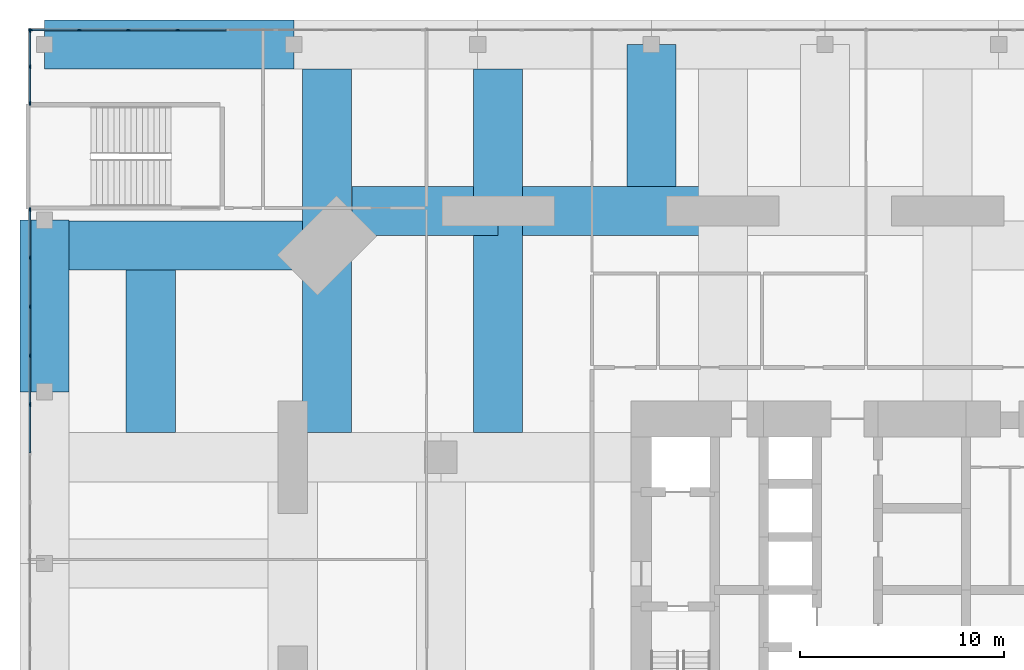
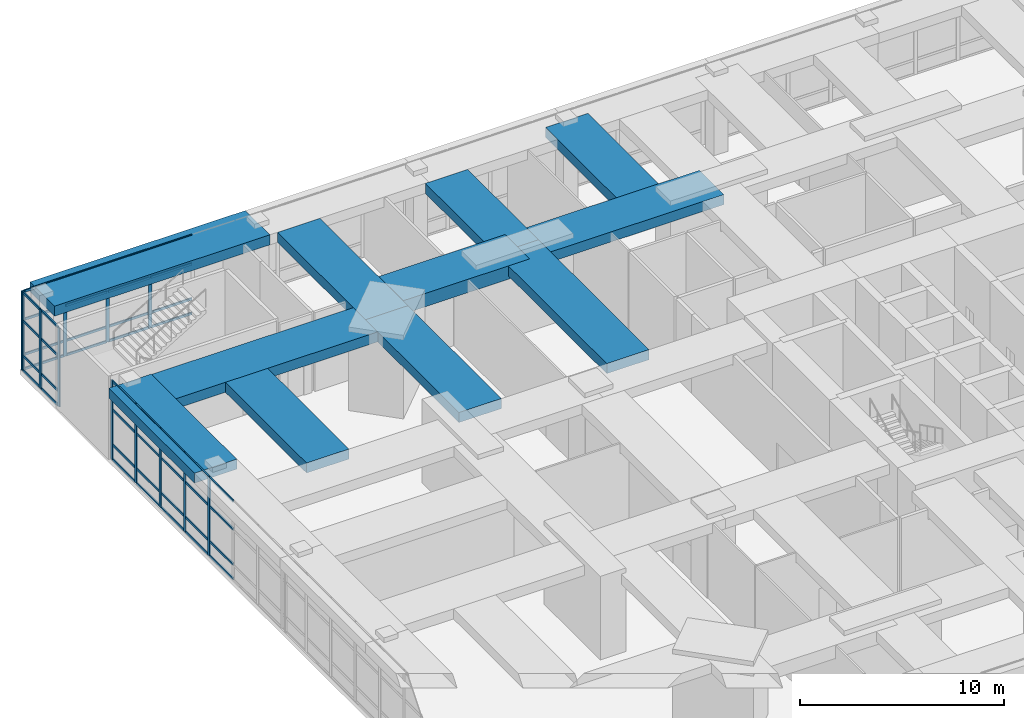
# One storey, part 7 of 22: 56 members, 11 beams, 3 elements without a shape of their own.
"""IFC4 building model written with IfcOpenShell, lengths in metres."""

from ifc_helpers import new_model, si_unit, direction, frame, origin, origin_2d, place, context, subcontext, project, spatial, rectangle, extrude, material, material_profile, profile_set, type_object, element, aggregate, save


model = new_model("IFC4")

# Units and contexts
model_context = context("Model", 3, precision=1e-05, world=origin(), true_north=direction((0.0, 1.0)))
body_context = subcontext(model_context, "Body", "Model", "MODEL_VIEW")
ifc_project = project(units=[si_unit("LENGTHUNIT", "METRE"), si_unit("AREAUNIT", "SQUARE_METRE"), si_unit("VOLUMEUNIT", "CUBIC_METRE"), si_unit("PLANEANGLEUNIT", "RADIAN"), si_unit("MASSUNIT", "GRAM", prefix="KILO")], contexts=[model_context])

# Site, building, storey
site_placement = place(None, origin())
site = spatial("IfcSite", under=ifc_project, at=site_placement, CompositionType="ELEMENT")
building_placement = place(site_placement, origin())
building = spatial("IfcBuilding", under=site, at=building_placement, Name="Jalousie Tower", CompositionType="ELEMENT")
storey_placement = place(building_placement, frame((0.0, 0.0, 6.0)))
storey = spatial("IfcBuildingStorey", under=building, at=storey_placement, Name="L01", CompositionType="ELEMENT", Elevation=6.0)

# Curtain wall, members
ifc_material_1 = material(Name="Aluminium curtain wall", Category="aluminium")
curtain_wall_type = type_object("IfcCurtainWallType", Name="PODIUM WINDOW WALL", PredefinedType="USERDEFINED", material=ifc_material_1)
curtain_wall_1_placement = place(storey_placement, origin())
curtain_wall_1 = element("IfcCurtainWall", 1, at=curtain_wall_1_placement, inside=storey, type_object=curtain_wall_type, Name="Podium Window Wall L01 21", ObjectType="PODIUM WINDOW WALL", PredefinedType="USERDEFINED")
ifc_material_2 = material(Name="Aluminium mullion", Category="aluminium")
ifc_material_profile_1 = material_profile(ifc_material_2, rectangle(XDim=0.070068359375, YDim=0.199951171875, at=origin_2d()), Name="MULLION 70x200")
ifc_profile_set_1 = profile_set([ifc_material_profile_1], Name="Aluminium mullion")
member_type_1 = type_object("IfcMemberType", Name="PODIUM WINDOW WALL MULLION", PredefinedType="MULLION", material=ifc_profile_set_1)
member_1_placement = place(storey_placement, frame((-2.689208984375, 45.91259765625, 0.0), z_axis=(0.0, 0.0, 1.0), x_axis=(0.0, -1.0, 0.0)))
member_1 = element("IfcMember", 2, at=member_1_placement, type_object=member_type_1, Name="CW-P mullion 27", PredefinedType="MULLION", context=body_context, shape_type="SweptSolid", body=[
    extrude(rectangle(XDim=0.070068359375, YDim=0.199951171875, at=origin_2d()), origin(), (0.0, 0.0, 1.0), 4.719970703125),
])
member_2_placement = place(storey_placement, frame((-5.096923828125, 45.91259765625, 0.0), z_axis=(0.0, 0.0, 1.0), x_axis=(0.0, -1.0, 0.0)))
member_2 = element("IfcMember", 3, at=member_2_placement, type_object=member_type_1, Name="CW-P mullion 28", PredefinedType="MULLION", context=body_context, shape_type="SweptSolid", body=[
    extrude(rectangle(XDim=0.070068359375, YDim=0.199951171875, at=origin_2d()), origin(), (0.0, 0.0, 1.0), 4.719970703125),
])
member_3_placement = place(storey_placement, frame((-7.504638671875, 45.91259765625, 0.0), z_axis=(0.0, 0.0, 1.0), x_axis=(0.0, -1.0, 0.0)))
member_3 = element("IfcMember", 4, at=member_3_placement, type_object=member_type_1, Name="CW-P mullion 29", PredefinedType="MULLION", context=body_context, shape_type="SweptSolid", body=[
    extrude(rectangle(XDim=0.070068359375, YDim=0.199951171875, at=origin_2d()), origin(), (0.0, 0.0, 1.0), 4.719970703125),
])
member_4_placement = place(storey_placement, frame((-9.87744140625, 45.91259765625, 0.0), z_axis=(0.0, 0.0, 1.0), x_axis=(0.0, -1.0, 0.0)))
member_4 = element("IfcMember", 5, at=member_4_placement, type_object=member_type_1, Name="CW-P mullion 30", PredefinedType="MULLION", context=body_context, shape_type="SweptSolid", body=[
    extrude(rectangle(XDim=0.070068359375, YDim=0.199951171875, at=origin_2d()), origin(), (0.0, 0.0, 1.0), 4.719970703125),
])

curtain_wall_2_placement = place(storey_placement, origin())
curtain_wall_2 = element("IfcCurtainWall", 6, at=curtain_wall_2_placement, inside=storey, type_object=curtain_wall_type, Name="Podium Window Wall L01 31", ObjectType="PODIUM WINDOW WALL", PredefinedType="USERDEFINED")
member_5_placement = place(storey_placement, frame((-9.91259765625, 45.87744140625, 0.0), z_axis=(0.0, 0.0, 1.0), x_axis=(1.0, 0.0, 0.0)))
member_5 = element("IfcMember", 7, at=member_5_placement, type_object=member_type_1, Name="CW-P mullion 1", PredefinedType="MULLION", context=body_context, shape_type="SweptSolid", body=[
    extrude(rectangle(XDim=0.070068359375, YDim=0.199951171875, at=origin_2d()), origin(), (0.0, 0.0, 1.0), 4.719970703125),
])
member_6_placement = place(storey_placement, frame((-9.91259765625, 44.106201171875, 0.0), z_axis=(0.0, 0.0, 1.0), x_axis=(1.0, 0.0, 0.0)))
member_6 = element("IfcMember", 8, at=member_6_placement, type_object=member_type_1, Name="CW-P mullion 2", PredefinedType="MULLION", context=body_context, shape_type="SweptSolid", body=[
    extrude(rectangle(XDim=0.070068359375, YDim=0.199951171875, at=origin_2d()), origin(), (0.0, 0.0, 1.0), 4.719970703125),
])
member_7_placement = place(storey_placement, frame((-9.91259765625, 42.3349609375, 0.0), z_axis=(0.0, 0.0, 1.0), x_axis=(1.0, 0.0, 0.0)))
member_7 = element("IfcMember", 9, at=member_7_placement, type_object=member_type_1, Name="CW-P mullion 3", PredefinedType="MULLION", context=body_context, shape_type="SweptSolid", body=[
    extrude(rectangle(XDim=0.070068359375, YDim=0.199951171875, at=origin_2d()), origin(), (0.0, 0.0, 1.0), 4.719970703125),
])

curtain_wall_3_placement = place(storey_placement, origin())
curtain_wall_3 = element("IfcCurtainWall", 10, at=curtain_wall_3_placement, inside=storey, type_object=curtain_wall_type, Name="Podium Window Wall L01 33", ObjectType="PODIUM WINDOW WALL", PredefinedType="USERDEFINED")
member_8_placement = place(storey_placement, frame((-9.91259765625, 37.114990234375, 0.0), z_axis=(0.0, 0.0, 1.0), x_axis=(1.0, 0.0, 0.0)))
member_8 = element("IfcMember", 11, at=member_8_placement, type_object=member_type_1, Name="CW-P mullion 1", PredefinedType="MULLION", context=body_context, shape_type="SweptSolid", body=[
    extrude(rectangle(XDim=0.070068359375, YDim=0.199951171875, at=origin_2d()), origin(), (0.0, 0.0, 1.0), 4.719970703125),
])
member_9_placement = place(storey_placement, frame((-9.91259765625, 34.757568359375, 0.0), z_axis=(0.0, 0.0, 1.0), x_axis=(1.0, 0.0, 0.0)))
member_9 = element("IfcMember", 12, at=member_9_placement, type_object=member_type_1, Name="CW-P mullion 2", PredefinedType="MULLION", context=body_context, shape_type="SweptSolid", body=[
    extrude(rectangle(XDim=0.070068359375, YDim=0.199951171875, at=origin_2d()), origin(), (0.0, 0.0, 1.0), 4.719970703125),
])
member_10_placement = place(storey_placement, frame((-9.91259765625, 32.365234375, 0.0), z_axis=(0.0, 0.0, 1.0), x_axis=(1.0, 0.0, 0.0)))
member_10 = element("IfcMember", 13, at=member_10_placement, type_object=member_type_1, Name="CW-P mullion 3", PredefinedType="MULLION", context=body_context, shape_type="SweptSolid", body=[
    extrude(rectangle(XDim=0.070068359375, YDim=0.199951171875, at=origin_2d()), origin(), (0.0, 0.0, 1.0), 4.719970703125),
])
member_11_placement = place(storey_placement, frame((-9.91259765625, 29.972900390625, 0.0), z_axis=(0.0, 0.0, 1.0), x_axis=(1.0, 0.0, 0.0)))
member_11 = element("IfcMember", 14, at=member_11_placement, type_object=member_type_1, Name="CW-P mullion 4", PredefinedType="MULLION", context=body_context, shape_type="SweptSolid", body=[
    extrude(rectangle(XDim=0.070068359375, YDim=0.199951171875, at=origin_2d()), origin(), (0.0, 0.0, 1.0), 4.719970703125),
])
member_12_placement = place(storey_placement, frame((-9.91259765625, 27.58056640625, 0.0), z_axis=(0.0, 0.0, 1.0), x_axis=(1.0, 0.0, 0.0)))
member_12 = element("IfcMember", 15, at=member_12_placement, type_object=member_type_1, Name="CW-P mullion 5", PredefinedType="MULLION", context=body_context, shape_type="SweptSolid", body=[
    extrude(rectangle(XDim=0.070068359375, YDim=0.199951171875, at=origin_2d()), origin(), (0.0, 0.0, 1.0), 4.719970703125),
])

# Member
ifc_material_3 = material(Name="Aluminium transom", Category="aluminium")
ifc_material_profile_2 = material_profile(ifc_material_3, rectangle(XDim=0.070068359375, YDim=0.139892578125, at=origin_2d()), Name="TRANSOM 70x140")
ifc_profile_set_2 = profile_set([ifc_material_profile_2], Name="Aluminium transom")
member_type_2 = type_object("IfcMemberType", Name="PODIUM WINDOW WALL TRANSOM", PredefinedType="USERDEFINED", material=ifc_profile_set_2)
member_13_placement = place(storey_placement, frame((-0.31640625, 45.91259765625, 0.034912109375), z_axis=(-1.0, 0.0, 0.0), x_axis=(0.0, -1.0, 0.0)))
member_13 = element("IfcMember", 16, at=member_13_placement, type_object=member_type_2, Name="CW-P transom 26.1", ObjectType="TRANSOM", PredefinedType="USERDEFINED", context=body_context, shape_type="SweptSolid", body=[
    extrude(rectangle(XDim=0.070068359375, YDim=0.139892578125, at=origin_2d()), origin(), (0.0, 0.0, 1.0), 2.337890625),
])

member_14_placement = place(storey_placement, frame((-0.31640625, 45.91259765625, 0.89990234375), z_axis=(-1.0, 0.0, 0.0), x_axis=(0.0, -1.0, 0.0)))
member_14 = element("IfcMember", 17, at=member_14_placement, type_object=member_type_2, Name="CW-P transom 26.2", ObjectType="TRANSOM", PredefinedType="USERDEFINED", context=body_context, shape_type="SweptSolid", body=[
    extrude(rectangle(XDim=0.070068359375, YDim=0.139892578125, at=origin_2d()), origin(), (0.0, 0.0, 1.0), 2.337890625),
])

member_15_placement = place(storey_placement, frame((-0.31640625, 45.91259765625, 3.0), z_axis=(-1.0, 0.0, 0.0), x_axis=(0.0, -1.0, 0.0)))
member_15 = element("IfcMember", 18, at=member_15_placement, type_object=member_type_2, Name="CW-P transom 26.3", ObjectType="TRANSOM", PredefinedType="USERDEFINED", context=body_context, shape_type="SweptSolid", body=[
    extrude(rectangle(XDim=0.070068359375, YDim=0.139892578125, at=origin_2d()), origin(), (0.0, 0.0, 1.0), 2.337890625),
])

member_16_placement = place(storey_placement, frame((-0.31640625, 45.91259765625, 4.68505859375), z_axis=(-1.0, 0.0, 0.0), x_axis=(0.0, -1.0, 0.0)))
member_16 = element("IfcMember", 19, at=member_16_placement, type_object=member_type_2, Name="CW-P transom 26.4", ObjectType="TRANSOM", PredefinedType="USERDEFINED", context=body_context, shape_type="SweptSolid", body=[
    extrude(rectangle(XDim=0.070068359375, YDim=0.139892578125, at=origin_2d()), origin(), (0.0, 0.0, 1.0), 2.337890625),
])

member_17_placement = place(storey_placement, frame((-2.72412109375, 45.91259765625, 0.034912109375), z_axis=(-1.0, 0.0, 0.0), x_axis=(0.0, -1.0, 0.0)))
member_17 = element("IfcMember", 20, at=member_17_placement, type_object=member_type_2, Name="CW-P transom 27.1", ObjectType="TRANSOM", PredefinedType="USERDEFINED", context=body_context, shape_type="SweptSolid", body=[
    extrude(rectangle(XDim=0.070068359375, YDim=0.139892578125, at=origin_2d()), origin(), (0.0, 0.0, 1.0), 2.337890625),
])

member_18_placement = place(storey_placement, frame((-2.72412109375, 45.91259765625, 0.89990234375), z_axis=(-1.0, 0.0, 0.0), x_axis=(0.0, -1.0, 0.0)))
member_18 = element("IfcMember", 21, at=member_18_placement, type_object=member_type_2, Name="CW-P transom 27.2", ObjectType="TRANSOM", PredefinedType="USERDEFINED", context=body_context, shape_type="SweptSolid", body=[
    extrude(rectangle(XDim=0.070068359375, YDim=0.139892578125, at=origin_2d()), origin(), (0.0, 0.0, 1.0), 2.337890625),
])

member_19_placement = place(storey_placement, frame((-2.72412109375, 45.91259765625, 3.0), z_axis=(-1.0, 0.0, 0.0), x_axis=(0.0, -1.0, 0.0)))
member_19 = element("IfcMember", 22, at=member_19_placement, type_object=member_type_2, Name="CW-P transom 27.3", ObjectType="TRANSOM", PredefinedType="USERDEFINED", context=body_context, shape_type="SweptSolid", body=[
    extrude(rectangle(XDim=0.070068359375, YDim=0.139892578125, at=origin_2d()), origin(), (0.0, 0.0, 1.0), 2.337890625),
])

member_20_placement = place(storey_placement, frame((-2.72412109375, 45.91259765625, 4.68505859375), z_axis=(-1.0, 0.0, 0.0), x_axis=(0.0, -1.0, 0.0)))
member_20 = element("IfcMember", 23, at=member_20_placement, type_object=member_type_2, Name="CW-P transom 27.4", ObjectType="TRANSOM", PredefinedType="USERDEFINED", context=body_context, shape_type="SweptSolid", body=[
    extrude(rectangle(XDim=0.070068359375, YDim=0.139892578125, at=origin_2d()), origin(), (0.0, 0.0, 1.0), 2.337890625),
])

member_21_placement = place(storey_placement, frame((-5.132080078125, 45.91259765625, 0.034912109375), z_axis=(-1.0, 0.0, 0.0), x_axis=(0.0, -1.0, 0.0)))
member_21 = element("IfcMember", 24, at=member_21_placement, type_object=member_type_2, Name="CW-P transom 28.1", ObjectType="TRANSOM", PredefinedType="USERDEFINED", context=body_context, shape_type="SweptSolid", body=[
    extrude(rectangle(XDim=0.070068359375, YDim=0.139892578125, at=origin_2d()), origin(), (0.0, 0.0, 1.0), 2.337646484375),
])

member_22_placement = place(storey_placement, frame((-5.132080078125, 45.91259765625, 0.89990234375), z_axis=(-1.0, 0.0, 0.0), x_axis=(0.0, -1.0, 0.0)))
member_22 = element("IfcMember", 25, at=member_22_placement, type_object=member_type_2, Name="CW-P transom 28.2", ObjectType="TRANSOM", PredefinedType="USERDEFINED", context=body_context, shape_type="SweptSolid", body=[
    extrude(rectangle(XDim=0.070068359375, YDim=0.139892578125, at=origin_2d()), origin(), (0.0, 0.0, 1.0), 2.337646484375),
])

member_23_placement = place(storey_placement, frame((-5.132080078125, 45.91259765625, 3.0), z_axis=(-1.0, 0.0, 0.0), x_axis=(0.0, -1.0, 0.0)))
member_23 = element("IfcMember", 26, at=member_23_placement, type_object=member_type_2, Name="CW-P transom 28.3", ObjectType="TRANSOM", PredefinedType="USERDEFINED", context=body_context, shape_type="SweptSolid", body=[
    extrude(rectangle(XDim=0.070068359375, YDim=0.139892578125, at=origin_2d()), origin(), (0.0, 0.0, 1.0), 2.337646484375),
])

member_24_placement = place(storey_placement, frame((-5.132080078125, 45.91259765625, 4.68505859375), z_axis=(-1.0, 0.0, 0.0), x_axis=(0.0, -1.0, 0.0)))
member_24 = element("IfcMember", 27, at=member_24_placement, type_object=member_type_2, Name="CW-P transom 28.4", ObjectType="TRANSOM", PredefinedType="USERDEFINED", context=body_context, shape_type="SweptSolid", body=[
    extrude(rectangle(XDim=0.070068359375, YDim=0.139892578125, at=origin_2d()), origin(), (0.0, 0.0, 1.0), 2.337646484375),
])

member_25_placement = place(storey_placement, frame((-7.539794921875, 45.91259765625, 0.034912109375), z_axis=(-1.0, 0.0, 0.0), x_axis=(0.0, -1.0, 0.0)))
member_25 = element("IfcMember", 28, at=member_25_placement, type_object=member_type_2, Name="CW-P transom 29.1", ObjectType="TRANSOM", PredefinedType="USERDEFINED", context=body_context, shape_type="SweptSolid", body=[
    extrude(rectangle(XDim=0.070068359375, YDim=0.139892578125, at=origin_2d()), origin(), (0.0, 0.0, 1.0), 2.302734375),
])

member_26_placement = place(storey_placement, frame((-7.539794921875, 45.91259765625, 0.89990234375), z_axis=(-1.0, 0.0, 0.0), x_axis=(0.0, -1.0, 0.0)))
member_26 = element("IfcMember", 29, at=member_26_placement, type_object=member_type_2, Name="CW-P transom 29.2", ObjectType="TRANSOM", PredefinedType="USERDEFINED", context=body_context, shape_type="SweptSolid", body=[
    extrude(rectangle(XDim=0.070068359375, YDim=0.139892578125, at=origin_2d()), origin(), (0.0, 0.0, 1.0), 2.302734375),
])

member_27_placement = place(storey_placement, frame((-7.539794921875, 45.91259765625, 3.0), z_axis=(-1.0, 0.0, 0.0), x_axis=(0.0, -1.0, 0.0)))
member_27 = element("IfcMember", 30, at=member_27_placement, type_object=member_type_2, Name="CW-P transom 29.3", ObjectType="TRANSOM", PredefinedType="USERDEFINED", context=body_context, shape_type="SweptSolid", body=[
    extrude(rectangle(XDim=0.070068359375, YDim=0.139892578125, at=origin_2d()), origin(), (0.0, 0.0, 1.0), 2.302734375),
])

member_28_placement = place(storey_placement, frame((-7.539794921875, 45.91259765625, 4.68505859375), z_axis=(-1.0, 0.0, 0.0), x_axis=(0.0, -1.0, 0.0)))
member_28 = element("IfcMember", 31, at=member_28_placement, type_object=member_type_2, Name="CW-P transom 29.4", ObjectType="TRANSOM", PredefinedType="USERDEFINED", context=body_context, shape_type="SweptSolid", body=[
    extrude(rectangle(XDim=0.070068359375, YDim=0.139892578125, at=origin_2d()), origin(), (0.0, 0.0, 1.0), 2.302734375),
])

aggregate(curtain_wall_1, [member_1, member_2, member_3, member_4, member_13, member_14, member_15, member_16, member_17, member_18, member_19, member_20, member_21, member_22, member_23, member_24, member_25, member_26, member_27, member_28])

member_29_placement = place(storey_placement, frame((-9.91259765625, 45.842529296875, 0.034912109375), z_axis=(0.0, -1.0, 0.0), x_axis=(1.0, 0.0, 0.0)))
member_29 = element("IfcMember", 32, at=member_29_placement, type_object=member_type_2, Name="CW-P transom 1.1", ObjectType="TRANSOM", PredefinedType="USERDEFINED", context=body_context, shape_type="SweptSolid", body=[
    extrude(rectangle(XDim=0.070068359375, YDim=0.139892578125, at=origin_2d()), origin(), (0.0, 0.0, 1.0), 1.701171875),
])

member_30_placement = place(storey_placement, frame((-9.91259765625, 45.842529296875, 0.89990234375), z_axis=(0.0, -1.0, 0.0), x_axis=(1.0, 0.0, 0.0)))
member_30 = element("IfcMember", 33, at=member_30_placement, type_object=member_type_2, Name="CW-P transom 1.2", ObjectType="TRANSOM", PredefinedType="USERDEFINED", context=body_context, shape_type="SweptSolid", body=[
    extrude(rectangle(XDim=0.070068359375, YDim=0.139892578125, at=origin_2d()), origin(), (0.0, 0.0, 1.0), 1.701171875),
])

member_31_placement = place(storey_placement, frame((-9.91259765625, 45.842529296875, 3.0), z_axis=(0.0, -1.0, 0.0), x_axis=(1.0, 0.0, 0.0)))
member_31 = element("IfcMember", 34, at=member_31_placement, type_object=member_type_2, Name="CW-P transom 1.3", ObjectType="TRANSOM", PredefinedType="USERDEFINED", context=body_context, shape_type="SweptSolid", body=[
    extrude(rectangle(XDim=0.070068359375, YDim=0.139892578125, at=origin_2d()), origin(), (0.0, 0.0, 1.0), 1.701171875),
])

member_32_placement = place(storey_placement, frame((-9.91259765625, 45.842529296875, 4.68505859375), z_axis=(0.0, -1.0, 0.0), x_axis=(1.0, 0.0, 0.0)))
member_32 = element("IfcMember", 35, at=member_32_placement, type_object=member_type_2, Name="CW-P transom 1.4", ObjectType="TRANSOM", PredefinedType="USERDEFINED", context=body_context, shape_type="SweptSolid", body=[
    extrude(rectangle(XDim=0.070068359375, YDim=0.139892578125, at=origin_2d()), origin(), (0.0, 0.0, 1.0), 1.701171875),
])

member_33_placement = place(storey_placement, frame((-9.91259765625, 44.0712890625, 0.034912109375), z_axis=(0.0, -1.0, 0.0), x_axis=(1.0, 0.0, 0.0)))
member_33 = element("IfcMember", 36, at=member_33_placement, type_object=member_type_2, Name="CW-P transom 2.1", ObjectType="TRANSOM", PredefinedType="USERDEFINED", context=body_context, shape_type="SweptSolid", body=[
    extrude(rectangle(XDim=0.070068359375, YDim=0.139892578125, at=origin_2d()), origin(), (0.0, 0.0, 1.0), 1.701171875),
])

member_34_placement = place(storey_placement, frame((-9.91259765625, 44.0712890625, 0.89990234375), z_axis=(0.0, -1.0, 0.0), x_axis=(1.0, 0.0, 0.0)))
member_34 = element("IfcMember", 37, at=member_34_placement, type_object=member_type_2, Name="CW-P transom 2.2", ObjectType="TRANSOM", PredefinedType="USERDEFINED", context=body_context, shape_type="SweptSolid", body=[
    extrude(rectangle(XDim=0.070068359375, YDim=0.139892578125, at=origin_2d()), origin(), (0.0, 0.0, 1.0), 1.701171875),
])

member_35_placement = place(storey_placement, frame((-9.91259765625, 44.0712890625, 3.0), z_axis=(0.0, -1.0, 0.0), x_axis=(1.0, 0.0, 0.0)))
member_35 = element("IfcMember", 38, at=member_35_placement, type_object=member_type_2, Name="CW-P transom 2.3", ObjectType="TRANSOM", PredefinedType="USERDEFINED", context=body_context, shape_type="SweptSolid", body=[
    extrude(rectangle(XDim=0.070068359375, YDim=0.139892578125, at=origin_2d()), origin(), (0.0, 0.0, 1.0), 1.701171875),
])

member_36_placement = place(storey_placement, frame((-9.91259765625, 44.0712890625, 4.68505859375), z_axis=(0.0, -1.0, 0.0), x_axis=(1.0, 0.0, 0.0)))
member_36 = element("IfcMember", 39, at=member_36_placement, type_object=member_type_2, Name="CW-P transom 2.4", ObjectType="TRANSOM", PredefinedType="USERDEFINED", context=body_context, shape_type="SweptSolid", body=[
    extrude(rectangle(XDim=0.070068359375, YDim=0.139892578125, at=origin_2d()), origin(), (0.0, 0.0, 1.0), 1.701171875),
])

aggregate(curtain_wall_2, [member_5, member_6, member_7, member_29, member_30, member_31, member_32, member_33, member_34, member_35, member_36])

member_37_placement = place(storey_placement, frame((-9.91259765625, 37.080078125, 0.034912109375), z_axis=(0.0, -1.0, 0.0), x_axis=(1.0, 0.0, 0.0)))
member_37 = element("IfcMember", 40, at=member_37_placement, type_object=member_type_2, Name="CW-P transom 1.1", ObjectType="TRANSOM", PredefinedType="USERDEFINED", context=body_context, shape_type="SweptSolid", body=[
    extrude(rectangle(XDim=0.070068359375, YDim=0.139892578125, at=origin_2d()), origin(), (0.0, 0.0, 1.0), 2.287353515625),
])

member_38_placement = place(storey_placement, frame((-9.91259765625, 37.080078125, 0.89990234375), z_axis=(0.0, -1.0, 0.0), x_axis=(1.0, 0.0, 0.0)))
member_38 = element("IfcMember", 41, at=member_38_placement, type_object=member_type_2, Name="CW-P transom 1.2", ObjectType="TRANSOM", PredefinedType="USERDEFINED", context=body_context, shape_type="SweptSolid", body=[
    extrude(rectangle(XDim=0.070068359375, YDim=0.139892578125, at=origin_2d()), origin(), (0.0, 0.0, 1.0), 2.287353515625),
])

member_39_placement = place(storey_placement, frame((-9.91259765625, 37.080078125, 3.0), z_axis=(0.0, -1.0, 0.0), x_axis=(1.0, 0.0, 0.0)))
member_39 = element("IfcMember", 42, at=member_39_placement, type_object=member_type_2, Name="CW-P transom 1.3", ObjectType="TRANSOM", PredefinedType="USERDEFINED", context=body_context, shape_type="SweptSolid", body=[
    extrude(rectangle(XDim=0.070068359375, YDim=0.139892578125, at=origin_2d()), origin(), (0.0, 0.0, 1.0), 2.287353515625),
])

member_40_placement = place(storey_placement, frame((-9.91259765625, 37.080078125, 4.68505859375), z_axis=(0.0, -1.0, 0.0), x_axis=(1.0, 0.0, 0.0)))
member_40 = element("IfcMember", 43, at=member_40_placement, type_object=member_type_2, Name="CW-P transom 1.4", ObjectType="TRANSOM", PredefinedType="USERDEFINED", context=body_context, shape_type="SweptSolid", body=[
    extrude(rectangle(XDim=0.070068359375, YDim=0.139892578125, at=origin_2d()), origin(), (0.0, 0.0, 1.0), 2.287353515625),
])

member_41_placement = place(storey_placement, frame((-9.91259765625, 34.72265625, 0.034912109375), z_axis=(0.0, -1.0, 0.0), x_axis=(1.0, 0.0, 0.0)))
member_41 = element("IfcMember", 44, at=member_41_placement, type_object=member_type_2, Name="CW-P transom 2.1", ObjectType="TRANSOM", PredefinedType="USERDEFINED", context=body_context, shape_type="SweptSolid", body=[
    extrude(rectangle(XDim=0.070068359375, YDim=0.139892578125, at=origin_2d()), origin(), (0.0, 0.0, 1.0), 2.322265625),
])

member_42_placement = place(storey_placement, frame((-9.91259765625, 34.72265625, 0.89990234375), z_axis=(0.0, -1.0, 0.0), x_axis=(1.0, 0.0, 0.0)))
member_42 = element("IfcMember", 45, at=member_42_placement, type_object=member_type_2, Name="CW-P transom 2.2", ObjectType="TRANSOM", PredefinedType="USERDEFINED", context=body_context, shape_type="SweptSolid", body=[
    extrude(rectangle(XDim=0.070068359375, YDim=0.139892578125, at=origin_2d()), origin(), (0.0, 0.0, 1.0), 2.322265625),
])

member_43_placement = place(storey_placement, frame((-9.91259765625, 34.72265625, 3.0), z_axis=(0.0, -1.0, 0.0), x_axis=(1.0, 0.0, 0.0)))
member_43 = element("IfcMember", 46, at=member_43_placement, type_object=member_type_2, Name="CW-P transom 2.3", ObjectType="TRANSOM", PredefinedType="USERDEFINED", context=body_context, shape_type="SweptSolid", body=[
    extrude(rectangle(XDim=0.070068359375, YDim=0.139892578125, at=origin_2d()), origin(), (0.0, 0.0, 1.0), 2.322265625),
])

member_44_placement = place(storey_placement, frame((-9.91259765625, 34.72265625, 4.68505859375), z_axis=(0.0, -1.0, 0.0), x_axis=(1.0, 0.0, 0.0)))
member_44 = element("IfcMember", 47, at=member_44_placement, type_object=member_type_2, Name="CW-P transom 2.4", ObjectType="TRANSOM", PredefinedType="USERDEFINED", context=body_context, shape_type="SweptSolid", body=[
    extrude(rectangle(XDim=0.070068359375, YDim=0.139892578125, at=origin_2d()), origin(), (0.0, 0.0, 1.0), 2.322265625),
])

member_45_placement = place(storey_placement, frame((-9.91259765625, 32.330322265625, 0.034912109375), z_axis=(0.0, -1.0, 0.0), x_axis=(1.0, 0.0, 0.0)))
member_45 = element("IfcMember", 48, at=member_45_placement, type_object=member_type_2, Name="CW-P transom 3.1", ObjectType="TRANSOM", PredefinedType="USERDEFINED", context=body_context, shape_type="SweptSolid", body=[
    extrude(rectangle(XDim=0.070068359375, YDim=0.139892578125, at=origin_2d()), origin(), (0.0, 0.0, 1.0), 2.322509765625),
])

member_46_placement = place(storey_placement, frame((-9.91259765625, 32.330322265625, 0.89990234375), z_axis=(0.0, -1.0, 0.0), x_axis=(1.0, 0.0, 0.0)))
member_46 = element("IfcMember", 49, at=member_46_placement, type_object=member_type_2, Name="CW-P transom 3.2", ObjectType="TRANSOM", PredefinedType="USERDEFINED", context=body_context, shape_type="SweptSolid", body=[
    extrude(rectangle(XDim=0.070068359375, YDim=0.139892578125, at=origin_2d()), origin(), (0.0, 0.0, 1.0), 2.322509765625),
])

member_47_placement = place(storey_placement, frame((-9.91259765625, 32.330322265625, 3.0), z_axis=(0.0, -1.0, 0.0), x_axis=(1.0, 0.0, 0.0)))
member_47 = element("IfcMember", 50, at=member_47_placement, type_object=member_type_2, Name="CW-P transom 3.3", ObjectType="TRANSOM", PredefinedType="USERDEFINED", context=body_context, shape_type="SweptSolid", body=[
    extrude(rectangle(XDim=0.070068359375, YDim=0.139892578125, at=origin_2d()), origin(), (0.0, 0.0, 1.0), 2.322509765625),
])

member_48_placement = place(storey_placement, frame((-9.91259765625, 32.330322265625, 4.68505859375), z_axis=(0.0, -1.0, 0.0), x_axis=(1.0, 0.0, 0.0)))
member_48 = element("IfcMember", 51, at=member_48_placement, type_object=member_type_2, Name="CW-P transom 3.4", ObjectType="TRANSOM", PredefinedType="USERDEFINED", context=body_context, shape_type="SweptSolid", body=[
    extrude(rectangle(XDim=0.070068359375, YDim=0.139892578125, at=origin_2d()), origin(), (0.0, 0.0, 1.0), 2.322509765625),
])

member_49_placement = place(storey_placement, frame((-9.91259765625, 29.93798828125, 0.034912109375), z_axis=(0.0, -1.0, 0.0), x_axis=(1.0, 0.0, 0.0)))
member_49 = element("IfcMember", 52, at=member_49_placement, type_object=member_type_2, Name="CW-P transom 4.1", ObjectType="TRANSOM", PredefinedType="USERDEFINED", context=body_context, shape_type="SweptSolid", body=[
    extrude(rectangle(XDim=0.070068359375, YDim=0.139892578125, at=origin_2d()), origin(), (0.0, 0.0, 1.0), 2.322509765625),
])

member_50_placement = place(storey_placement, frame((-9.91259765625, 29.93798828125, 0.89990234375), z_axis=(0.0, -1.0, 0.0), x_axis=(1.0, 0.0, 0.0)))
member_50 = element("IfcMember", 53, at=member_50_placement, type_object=member_type_2, Name="CW-P transom 4.2", ObjectType="TRANSOM", PredefinedType="USERDEFINED", context=body_context, shape_type="SweptSolid", body=[
    extrude(rectangle(XDim=0.070068359375, YDim=0.139892578125, at=origin_2d()), origin(), (0.0, 0.0, 1.0), 2.322509765625),
])

member_51_placement = place(storey_placement, frame((-9.91259765625, 29.93798828125, 3.0), z_axis=(0.0, -1.0, 0.0), x_axis=(1.0, 0.0, 0.0)))
member_51 = element("IfcMember", 54, at=member_51_placement, type_object=member_type_2, Name="CW-P transom 4.3", ObjectType="TRANSOM", PredefinedType="USERDEFINED", context=body_context, shape_type="SweptSolid", body=[
    extrude(rectangle(XDim=0.070068359375, YDim=0.139892578125, at=origin_2d()), origin(), (0.0, 0.0, 1.0), 2.322509765625),
])

member_52_placement = place(storey_placement, frame((-9.91259765625, 29.93798828125, 4.68505859375), z_axis=(0.0, -1.0, 0.0), x_axis=(1.0, 0.0, 0.0)))
member_52 = element("IfcMember", 55, at=member_52_placement, type_object=member_type_2, Name="CW-P transom 4.4", ObjectType="TRANSOM", PredefinedType="USERDEFINED", context=body_context, shape_type="SweptSolid", body=[
    extrude(rectangle(XDim=0.070068359375, YDim=0.139892578125, at=origin_2d()), origin(), (0.0, 0.0, 1.0), 2.322509765625),
])

member_53_placement = place(storey_placement, frame((-9.91259765625, 27.545654296875, 0.034912109375), z_axis=(0.0, -1.0, 0.0), x_axis=(1.0, 0.0, 0.0)))
member_53 = element("IfcMember", 56, at=member_53_placement, type_object=member_type_2, Name="CW-P transom 5.1", ObjectType="TRANSOM", PredefinedType="USERDEFINED", context=body_context, shape_type="SweptSolid", body=[
    extrude(rectangle(XDim=0.070068359375, YDim=0.139892578125, at=origin_2d()), origin(), (0.0, 0.0, 1.0), 2.322509765625),
])

member_54_placement = place(storey_placement, frame((-9.91259765625, 27.545654296875, 0.89990234375), z_axis=(0.0, -1.0, 0.0), x_axis=(1.0, 0.0, 0.0)))
member_54 = element("IfcMember", 57, at=member_54_placement, type_object=member_type_2, Name="CW-P transom 5.2", ObjectType="TRANSOM", PredefinedType="USERDEFINED", context=body_context, shape_type="SweptSolid", body=[
    extrude(rectangle(XDim=0.070068359375, YDim=0.139892578125, at=origin_2d()), origin(), (0.0, 0.0, 1.0), 2.322509765625),
])

member_55_placement = place(storey_placement, frame((-9.91259765625, 27.545654296875, 3.0), z_axis=(0.0, -1.0, 0.0), x_axis=(1.0, 0.0, 0.0)))
member_55 = element("IfcMember", 58, at=member_55_placement, type_object=member_type_2, Name="CW-P transom 5.3", ObjectType="TRANSOM", PredefinedType="USERDEFINED", context=body_context, shape_type="SweptSolid", body=[
    extrude(rectangle(XDim=0.070068359375, YDim=0.139892578125, at=origin_2d()), origin(), (0.0, 0.0, 1.0), 2.322509765625),
])

member_56_placement = place(storey_placement, frame((-9.91259765625, 27.545654296875, 4.68505859375), z_axis=(0.0, -1.0, 0.0), x_axis=(1.0, 0.0, 0.0)))
member_56 = element("IfcMember", 59, at=member_56_placement, type_object=member_type_2, Name="CW-P transom 5.4", ObjectType="TRANSOM", PredefinedType="USERDEFINED", context=body_context, shape_type="SweptSolid", body=[
    extrude(rectangle(XDim=0.070068359375, YDim=0.139892578125, at=origin_2d()), origin(), (0.0, 0.0, 1.0), 2.322509765625),
])

aggregate(curtain_wall_3, [member_8, member_9, member_10, member_11, member_12, member_37, member_38, member_39, member_40, member_41, member_42, member_43, member_44, member_45, member_46, member_47, member_48, member_49, member_50, member_51, member_52, member_53, member_54, member_55, member_56])

# Beams
ifc_material_4 = material(Name="Concrete f'c 40 MPa", Category="concrete")
ifc_material_profile_3 = material_profile(ifc_material_4, rectangle(XDim=2.39990234375, YDim=0.60009765625, at=origin_2d()), Name="RC 2400x600")
ifc_profile_set_3 = profile_set([ifc_material_profile_3], Name="Concrete f'c 40 MPa")
beam_type_1 = type_object("IfcBeamType", Name="RC BEAM 2400x600", PredefinedType="BEAM", material=ifc_profile_set_3)
beam_1_placement = place(storey_placement, frame((24.0, 37.050048828125, 4.419921875), z_axis=(-1.0, 0.0, 0.0), x_axis=(0.0, -1.0, 0.0)))
element("IfcBeam", 60, at=beam_1_placement, inside=storey, type_object=beam_type_1, Name="Floor band beam under L02", PredefinedType="BEAM", context=body_context, shape_type="SweptSolid", body=[
    extrude(rectangle(XDim=2.39990234375, YDim=0.60009765625, at=origin_2d()), origin(), (0.0, 0.0, 1.0), 11.0),
])
beam_2_placement = place(storey_placement, frame((-9.199951171875, 28.199951171875, 4.419921875), z_axis=(0.0, 1.0, 0.0), x_axis=(-1.0, 0.0, 0.0)))
element("IfcBeam", 61, at=beam_2_placement, inside=storey, type_object=beam_type_1, Name="Floor band beam under L02", PredefinedType="BEAM", context=body_context, shape_type="SweptSolid", body=[
    extrude(rectangle(XDim=2.39990234375, YDim=0.60009765625, at=origin_2d()), origin(), (0.0, 0.0, 1.0), 8.400146484375),
])
beam_3_placement = place(storey_placement, frame((-9.199951171875, 45.199951171875, 4.419921875), z_axis=(1.0, 0.0, 0.0), x_axis=(0.0, 1.0, 0.0)))
element("IfcBeam", 62, at=beam_3_placement, inside=storey, type_object=beam_type_1, Name="Floor band beam under L02", PredefinedType="BEAM", context=body_context, shape_type="SweptSolid", body=[
    extrude(rectangle(XDim=2.39990234375, YDim=0.60009765625, at=origin_2d()), origin(), (0.0, 0.0, 1.0), 12.199951171875),
])
beam_4_placement = place(storey_placement, frame((4.63134765625, 35.36865234375, 4.419921875), z_axis=(-1.0, 0.0, 0.0), x_axis=(0.0, -1.0, 0.0)))
element("IfcBeam", 63, at=beam_4_placement, inside=storey, type_object=beam_type_1, Name="Floor band beam under L02", PredefinedType="BEAM", context=body_context, shape_type="SweptSolid", body=[
    extrude(rectangle(XDim=2.39990234375, YDim=0.60009765625, at=origin_2d()), origin(), (0.0, 0.0, 1.0), 12.63134765625),
])
beam_5_placement = place(storey_placement, frame((4.63134765625, 35.36865234375, 4.419921875), z_axis=(0.0, 1.0, 0.0), x_axis=(-1.0, 0.0, 0.0)))
element("IfcBeam", 64, at=beam_5_placement, inside=storey, type_object=beam_type_1, Name="Floor band beam under L02", PredefinedType="BEAM", context=body_context, shape_type="SweptSolid", body=[
    extrude(rectangle(XDim=2.39990234375, YDim=0.60009765625, at=origin_2d()), origin(), (0.0, 0.0, 1.0), 8.63134765625),
])
beam_6_placement = place(storey_placement, frame((4.63134765625, 35.36865234375, 4.419921875), z_axis=(0.0, -1.0, 0.0), x_axis=(1.0, 0.0, 0.0)))
element("IfcBeam", 65, at=beam_6_placement, inside=storey, type_object=beam_type_1, Name="Floor band beam under L02", PredefinedType="BEAM", context=body_context, shape_type="SweptSolid", body=[
    extrude(rectangle(XDim=2.39990234375, YDim=0.60009765625, at=origin_2d()), origin(), (0.0, 0.0, 1.0), 9.168701171875),
])
beam_7_placement = place(storey_placement, frame((13.0, 37.050048828125, 4.419921875), z_axis=(0.0, 1.0, 0.0), x_axis=(-1.0, 0.0, 0.0)))
element("IfcBeam", 66, at=beam_7_placement, inside=storey, type_object=beam_type_1, Name="Floor band beam under L02", PredefinedType="BEAM", context=body_context, shape_type="SweptSolid", body=[
    extrude(rectangle(XDim=2.39990234375, YDim=0.60009765625, at=origin_2d()), origin(), (0.0, 0.0, 1.0), 6.949951171875),
])
beam_8_placement = place(storey_placement, frame((13.0, 37.050048828125, 4.419921875), z_axis=(0.0, -1.0, 0.0), x_axis=(1.0, 0.0, 0.0)))
element("IfcBeam", 67, at=beam_8_placement, inside=storey, type_object=beam_type_1, Name="Floor band beam under L02", PredefinedType="BEAM", context=body_context, shape_type="SweptSolid", body=[
    extrude(rectangle(XDim=2.39990234375, YDim=0.60009765625, at=origin_2d()), origin(), (0.0, 0.0, 1.0), 10.85009765625),
])
beam_9_placement = place(storey_placement, frame((20.5, 45.199951171875, 4.419921875), z_axis=(0.0, -1.0, 0.0), x_axis=(1.0, 0.0, 0.0)))
element("IfcBeam", 68, at=beam_9_placement, inside=storey, type_object=beam_type_1, Name="Floor band beam under L02", PredefinedType="BEAM", context=body_context, shape_type="SweptSolid", body=[
    extrude(rectangle(XDim=2.39990234375, YDim=0.60009765625, at=origin_2d()), origin(), (0.0, 0.0, 1.0), 6.949951171875),
])
beam_10_placement = place(storey_placement, frame((-4.0, 26.199951171875, 4.419921875), z_axis=(0.0, 1.0, 0.0), x_axis=(-1.0, 0.0, 0.0)))
element("IfcBeam", 69, at=beam_10_placement, inside=storey, type_object=beam_type_1, Name="Floor band beam under L02", PredefinedType="BEAM", context=body_context, shape_type="SweptSolid", body=[
    extrude(rectangle(XDim=2.39990234375, YDim=0.60009765625, at=origin_2d()), origin(), (0.0, 0.0, 1.0), 7.96875),
])
ifc_material_5 = material(Name="Concrete f'c 40 MPa", Category="concrete")
ifc_material_profile_4 = material_profile(ifc_material_5, rectangle(XDim=2.39990234375, YDim=0.800048828125, at=origin_2d()), Name="RC 2400x800")
ifc_profile_set_4 = profile_set([ifc_material_profile_4], Name="Concrete f'c 40 MPa")
beam_type_2 = type_object("IfcBeamType", Name="RC BEAM 2400x800", PredefinedType="BEAM", material=ifc_profile_set_4)
beam_11_placement = place(storey_placement, frame((13.0, 37.050048828125, 4.320068359375), z_axis=(-1.0, 0.0, 0.0), x_axis=(0.0, -1.0, 0.0)))
element("IfcBeam", 70, at=beam_11_placement, inside=storey, type_object=beam_type_2, Name="Floor band beam under L02", PredefinedType="BEAM", context=body_context, shape_type="SweptSolid", body=[
    extrude(rectangle(XDim=2.39990234375, YDim=0.800048828125, at=origin_2d()), origin(), (0.0, 0.0, 1.0), 7.15087890625),
])

save(model, "model.ifc")
